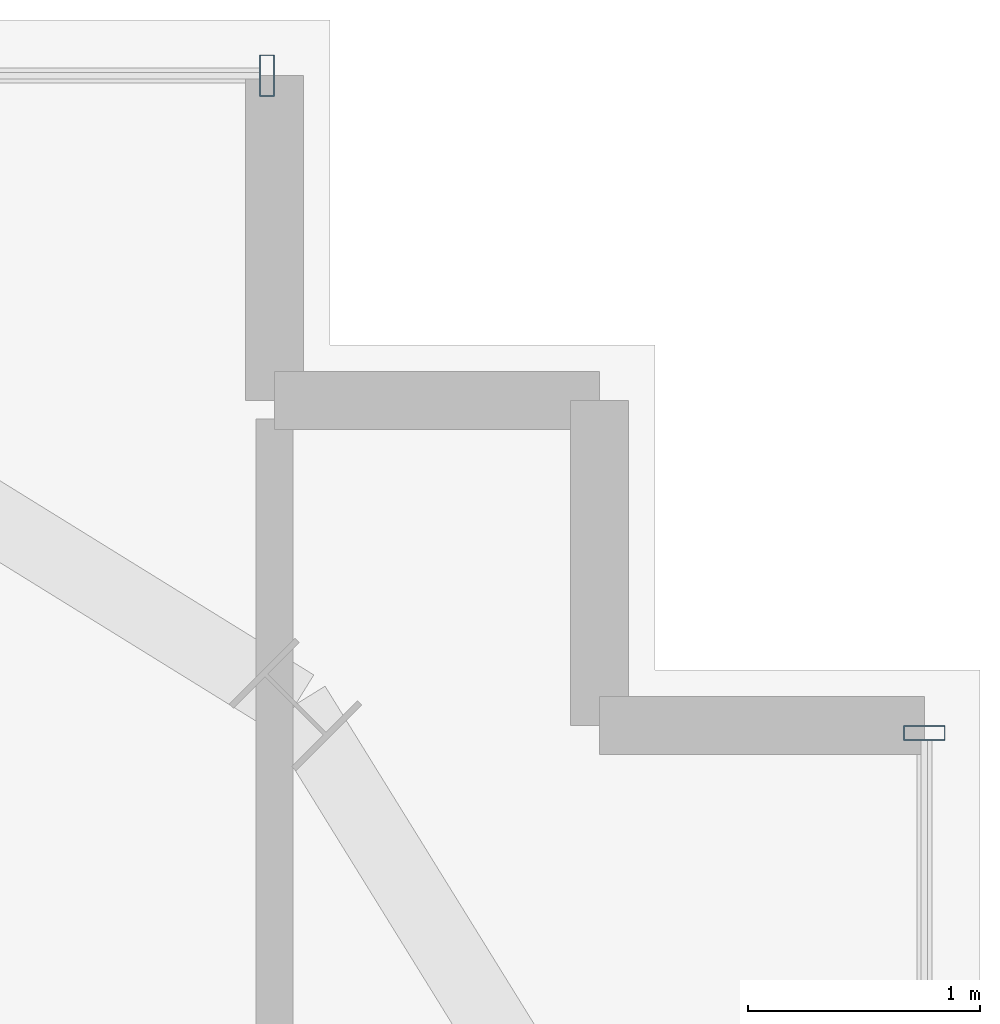
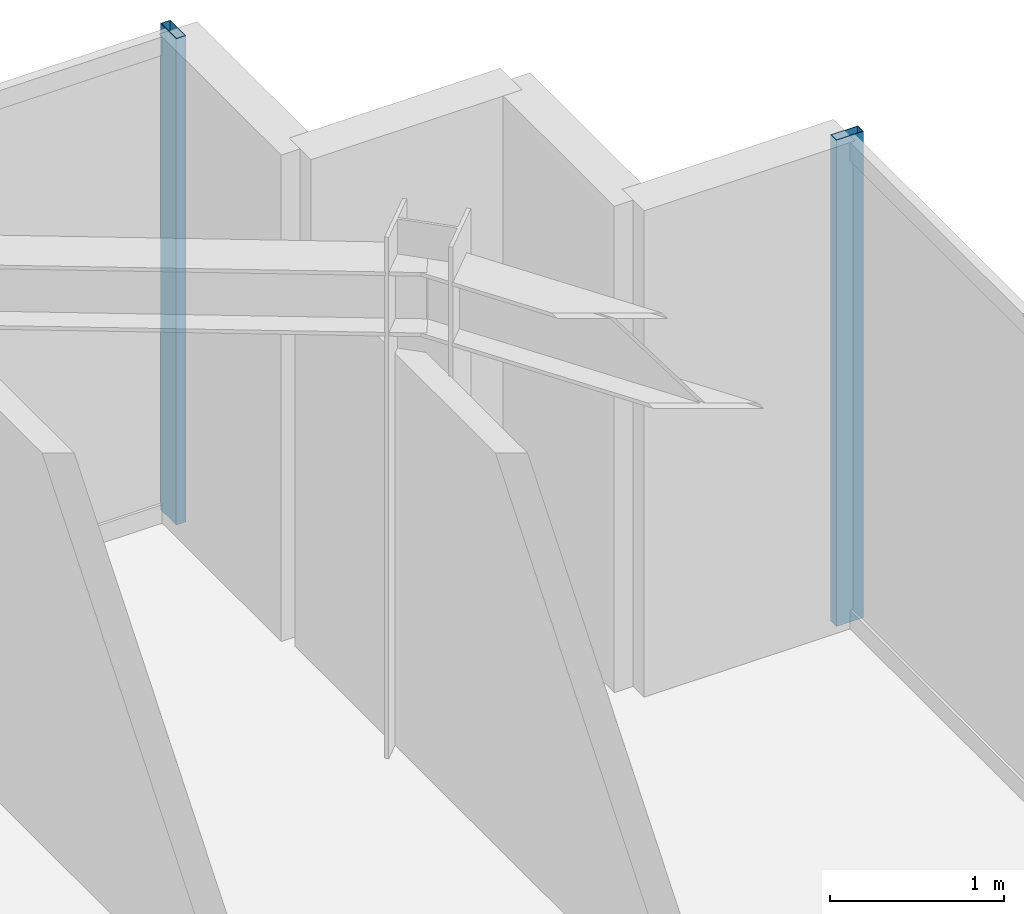
# One storey, part 27 of 35: 2 members, 2 elements without a shape of their own.
"""IFC4 building model written with IfcOpenShell, lengths in metres."""

from ifc_helpers import new_model, si_unit, direction, frame, origin, origin_2d, place, context, subcontext, project, spatial, hollow_rectangle, extrude, source, transform, mapped, material, material_profile, profile_set, type_object, element, aggregate, save


model = new_model("IFC4")

# Units and contexts
model_context = context("Model", 3, precision=1e-05, world=origin(), true_north=direction((0.0, 1.0)))
body_context = subcontext(model_context, "Body", "Model", "MODEL_VIEW")
ifc_project = project(units=[si_unit("LENGTHUNIT", "METRE"), si_unit("AREAUNIT", "SQUARE_METRE"), si_unit("VOLUMEUNIT", "CUBIC_METRE"), si_unit("PLANEANGLEUNIT", "RADIAN"), si_unit("MASSUNIT", "GRAM", prefix="KILO")], contexts=[model_context])

# Site, building, storey
site_placement = place(None, origin())
site = spatial("IfcSite", under=ifc_project, at=site_placement, CompositionType="ELEMENT")
building_placement = place(site_placement, origin())
building = spatial("IfcBuilding", under=site, at=building_placement, Name="Nahalor Promenade Grand Hotel", CompositionType="ELEMENT")
storey_placement = place(building_placement, frame((0.0, 0.0, 245.60009765625)))
storey = spatial("IfcBuildingStorey", under=building, at=storey_placement, Name="L63", CompositionType="ELEMENT", Elevation=245.60009765625)

# Curtain wall, member
ifc_material = material(Name="Anodised Bronze Aluminium EN AW-6063 T6", Category="aluminium")
curtain_wall_type = type_object("IfcCurtainWallType", Name="CW2 Typical Hotel Flush Bronze Unitised Curtain Wall", PredefinedType="USERDEFINED", material=ifc_material)
curtain_wall_1_placement = place(storey_placement, origin())
curtain_wall_1 = element("IfcCurtainWall", 1, at=curtain_wall_1_placement, inside=storey, type_object=curtain_wall_type, Name="L63 Curtain Wall CW-L63-N-1", ObjectType="UNITISED_CURTAIN_WALL", PredefinedType="USERDEFINED")
ifc_material_profile = material_profile(ifc_material, hollow_rectangle(XDim=0.065, YDim=0.18, WallThickness=0.004, at=origin_2d()), Name="CWM 65x180x4")
ifc_profile_set = profile_set([ifc_material_profile], Name="Anodised Bronze Aluminium EN AW-6063 T6")
member_type = type_object("IfcMemberType", Name="CWM2 Typical Bronze Mullion 65x180", PredefinedType="MULLION", material=ifc_profile_set)
shared_shape = source(origin(), body_context, "Body", "SweptSolid", [
    extrude(hollow_rectangle(XDim=0.065, YDim=0.18, WallThickness=0.004, at=origin_2d()), origin(), (0.0, 0.0, 1.0), 3.409912109375),
])
member_1_placement = place(storey_placement, frame((21.12744140625, 23.9599609375, 0.0), z_axis=(0.0, 0.0, 1.0), x_axis=(1.0, 0.0, 0.0)))
member_1 = element("IfcMember", 2, at=member_1_placement, type_object=member_type, Name="CW-L63-N-1 Mullion 4", PredefinedType="MULLION", context=body_context, shape_type="MappedRepresentation", body=[
    mapped(shared_shape, transform((0.0, 0.0, 0.0), scale=1.0)),
])
aggregate(curtain_wall_1, [member_1])

curtain_wall_2_placement = place(storey_placement, origin())
curtain_wall_2 = element("IfcCurtainWall", 3, at=curtain_wall_2_placement, inside=storey, type_object=curtain_wall_type, Name="L63 Curtain Wall CW-L63-E-1", ObjectType="UNITISED_CURTAIN_WALL", PredefinedType="USERDEFINED")
member_2_placement = place(storey_placement, frame((23.9599609375, 21.12744140625, 0.0), z_axis=(0.0, 0.0, 1.0), x_axis=(0.0, 1.0, 0.0)))
member_2 = element("IfcMember", 4, at=member_2_placement, type_object=member_type, Name="CW-L63-E-1 Mullion 4", PredefinedType="MULLION", context=body_context, shape_type="MappedRepresentation", body=[
    mapped(shared_shape, transform((0.0, 0.0, 0.0), scale=1.0)),
])
aggregate(curtain_wall_2, [member_2])

save(model, "model.ifc")
